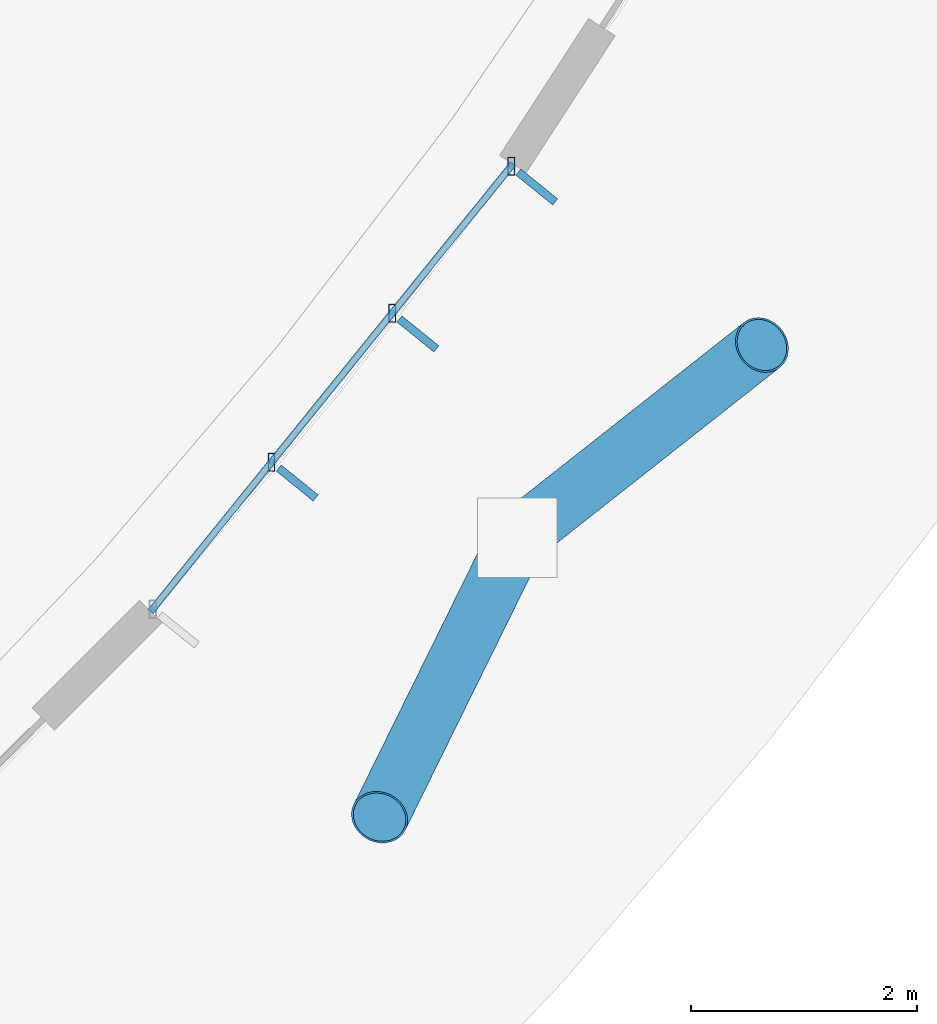
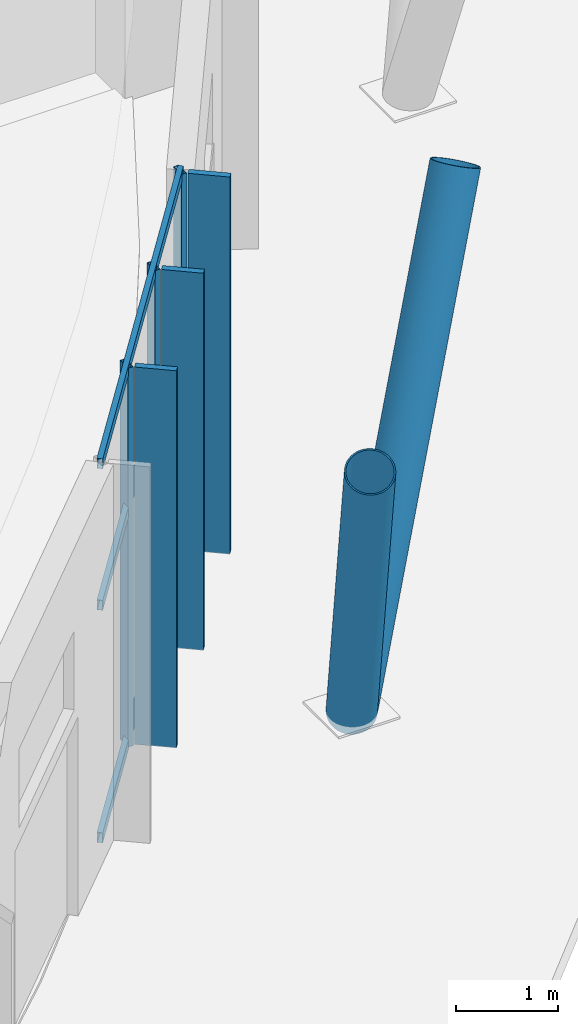
# One storey, part 74 of 151: 11 members, 1 element without a shape of its own.
"""IFC4 building model written with IfcOpenShell, lengths in metres."""

from ifc_helpers import new_model, si_unit, direction, frame, origin, origin_2d, place, context, subcontext, project, spatial, rectangle, hollow_rectangle, hollow_circle, extrude, material, material_profile, profile_set, type_object, element, aggregate, save


model = new_model("IFC4")

# Units and contexts
model_context = context("Model", 3, precision=1e-05, world=origin(), true_north=direction((0.0, 1.0)))
body_context = subcontext(model_context, "Body", "Model", "MODEL_VIEW")
ifc_project = project(units=[si_unit("LENGTHUNIT", "METRE"), si_unit("AREAUNIT", "SQUARE_METRE"), si_unit("VOLUMEUNIT", "CUBIC_METRE"), si_unit("PLANEANGLEUNIT", "RADIAN"), si_unit("MASSUNIT", "GRAM", prefix="KILO")], contexts=[model_context])

# Site, building, storey
site_placement = place(None, origin())
site = spatial("IfcSite", under=ifc_project, at=site_placement, CompositionType="ELEMENT")
building_placement = place(site_placement, origin())
building = spatial("IfcBuilding", under=site, at=building_placement, Name="Chiffa Square Polytechnic", CompositionType="ELEMENT")
storey_placement = place(building_placement, origin())
storey = spatial("IfcBuildingStorey", under=building, at=storey_placement, Name="L00", CompositionType="ELEMENT", Elevation=0.0)

# Members
ifc_material_1 = material(Name="Steel S355", Category="steel")
ifc_material_profile_1 = material_profile(ifc_material_1, hollow_circle(Radius=0.25390625, WallThickness=0.01611328125, at=origin_2d()), Name="CHS 508x16")
ifc_profile_set_1 = profile_set([ifc_material_profile_1], Name="Steel S355")
member_type_1 = type_object("IfcMemberType", Name="COL-VSTRUT-508", PredefinedType="STRUT", material=ifc_profile_set_1)
member_1_placement = place(storey_placement, frame((162.555908203125, 25.47998046875, 0.0), z_axis=(-0.219888539914, -0.446350794203, 0.867421465338), x_axis=(0.897053884732, -0.441921178364, 0.0)))
element("IfcMember", 1, at=member_1_placement, inside=storey, type_object=member_type_1, Name="Prow steel V-strut CV-V1-L00-06L", PredefinedType="STRUT", context=body_context, shape_type="SweptSolid", body=[
    extrude(hollow_circle(Radius=0.25390625, WallThickness=0.01611328125, at=origin_2d()), origin(), (0.0, 0.0, 1.0), 5.53369140625),
])
member_2_placement = place(storey_placement, frame((162.555908203125, 25.47998046875, 0.0), z_axis=(0.390883439665, 0.307942032603, 0.867399470344), x_axis=(-0.618839073152, 0.785517791995, 0.0)))
element("IfcMember", 2, at=member_2_placement, inside=storey, type_object=member_type_1, Name="Prow steel V-strut CV-V1-L00-06R", PredefinedType="STRUT", context=body_context, shape_type="SweptSolid", body=[
    extrude(hollow_circle(Radius=0.25390625, WallThickness=0.01611328125, at=origin_2d()), origin(), (0.0, 0.0, 1.0), 5.533935546875),
])

# Curtain wall, members
ifc_material_2 = material(Name="Aluminium EN AW-6060 T66 and glulam shading", Category="wood")
curtain_wall_type = type_object("IfcCurtainWallType", Name="CW-VERT-480X380", PredefinedType="USERDEFINED", material=ifc_material_2)
curtain_wall_placement = place(storey_placement, origin())
curtain_wall = element("IfcCurtainWall", 3, at=curtain_wall_placement, inside=storey, type_object=curtain_wall_type, Name="Curtain wall CW-V1-L00-006", ObjectType="CURTAIN WALL", PredefinedType="USERDEFINED")
ifc_material_3 = material(Name="Aluminium EN AW-6060 T66", Category="aluminium")
ifc_material_profile_2 = material_profile(ifc_material_3, hollow_rectangle(XDim=0.06005859375, YDim=0.159912109375, WallThickness=0.00390625, at=origin_2d()), Name="ALU 60x160x4")
ifc_profile_set_2 = profile_set([ifc_material_profile_2], Name="Aluminium EN AW-6060 T66")
member_type_2 = type_object("IfcMemberType", Name="CWM-ALU-65X150", PredefinedType="MULLION", material=ifc_profile_set_2)
member_3_placement = place(storey_placement, frame((160.384033203125, 26.14794921875, -0.02001953125), z_axis=(0.0, 0.0, 1.0), x_axis=(1.0, 0.0, 0.0)))
member_3 = element("IfcMember", 4, at=member_3_placement, type_object=member_type_2, Name="Curtain wall mullion CW-V1-L00-006-M01", PredefinedType="MULLION", context=body_context, shape_type="SweptSolid", body=[
    extrude(hollow_rectangle(XDim=0.06005859375, YDim=0.159912109375, WallThickness=0.00390625, at=origin_2d()), origin(), (0.0, 0.0, 1.0), 4.554931640625),
])
member_4_placement = place(storey_placement, frame((161.450927734375, 27.466064453125, -0.02001953125), z_axis=(0.0, 0.0, 1.0), x_axis=(1.0, 0.0, 0.0)))
member_4 = element("IfcMember", 5, at=member_4_placement, type_object=member_type_2, Name="Curtain wall mullion CW-V1-L00-006-M02", PredefinedType="MULLION", context=body_context, shape_type="SweptSolid", body=[
    extrude(hollow_rectangle(XDim=0.06005859375, YDim=0.159912109375, WallThickness=0.00390625, at=origin_2d()), origin(), (0.0, 0.0, 1.0), 4.554931640625),
])
member_5_placement = place(storey_placement, frame((162.501953125, 28.764892578125, -0.02001953125), z_axis=(0.0, 0.0, 1.0), x_axis=(1.0, 0.0, 0.0)))
member_5 = element("IfcMember", 6, at=member_5_placement, type_object=member_type_2, Name="Curtain wall mullion CW-V1-L00-006-M03", PredefinedType="MULLION", context=body_context, shape_type="SweptSolid", body=[
    extrude(hollow_rectangle(XDim=0.06005859375, YDim=0.159912109375, WallThickness=0.00390625, at=origin_2d()), origin(), (0.0, 0.0, 1.0), 4.554931640625),
])
ifc_material_4 = material(Name="Glulam GL28h", Category="wood")
ifc_material_profile_3 = material_profile(ifc_material_4, rectangle(XDim=0.070068359375, YDim=0.419921875, at=origin_2d()), Name="GL28h 70x420")
ifc_profile_set_3 = profile_set([ifc_material_profile_3], Name="Glulam GL28h")
member_type_3 = type_object("IfcMemberType", Name="CWM-GL-70X420", PredefinedType="MULLION", material=ifc_profile_set_3)
member_6_placement = place(storey_placement, frame((160.611083984375, 25.964111328125, -0.010009765625), z_axis=(0.0, 0.0, 1.0), x_axis=(0.629211874869, 0.777233823584, 0.0)))
member_6 = element("IfcMember", 7, at=member_6_placement, type_object=member_type_3, Name="Exterior glulam solar fin CW-V1-L00-006-FN01", PredefinedType="MULLION", context=body_context, shape_type="SweptSolid", body=[
    extrude(rectangle(XDim=0.070068359375, YDim=0.419921875, at=origin_2d()), origin(), (0.0, 0.0, 1.0), 4.534912109375),
])
member_7_placement = place(storey_placement, frame((161.677978515625, 27.281982421875, -0.010009765625), z_axis=(0.0, 0.0, 1.0), x_axis=(0.629211874869, 0.777233823584, 0.0)))
member_7 = element("IfcMember", 8, at=member_7_placement, type_object=member_type_3, Name="Exterior glulam solar fin CW-V1-L00-006-FN02", PredefinedType="MULLION", context=body_context, shape_type="SweptSolid", body=[
    extrude(rectangle(XDim=0.070068359375, YDim=0.419921875, at=origin_2d()), origin(), (0.0, 0.0, 1.0), 4.534912109375),
])
member_8_placement = place(storey_placement, frame((162.72900390625, 28.5810546875, -0.010009765625), z_axis=(0.0, 0.0, 1.0), x_axis=(0.629211874869, 0.777233823584, 0.0)))
member_8 = element("IfcMember", 9, at=member_8_placement, type_object=member_type_3, Name="Exterior glulam solar fin CW-V1-L00-006-FN03", PredefinedType="MULLION", context=body_context, shape_type="SweptSolid", body=[
    extrude(rectangle(XDim=0.070068359375, YDim=0.419921875, at=origin_2d()), origin(), (0.0, 0.0, 1.0), 4.534912109375),
])
ifc_material_profile_4 = material_profile(ifc_material_3, hollow_rectangle(XDim=0.06005859375, YDim=0.1201171875, WallThickness=0.00390625, at=origin_2d()), Name="ALU 60x120x4")
ifc_profile_set_4 = profile_set([ifc_material_profile_4], Name="Aluminium EN AW-6060 T66")
member_type_4 = type_object("IfcMemberType", Name="CWT-ALU-65X120", PredefinedType="USERDEFINED", material=ifc_profile_set_4)
member_9_placement = place(storey_placement, frame((159.31591796875, 24.827880859375, 0.010009765625), z_axis=(0.629082357444, 0.777338656927, 0.0), x_axis=(-0.777338656927, 0.629082357444, 0.0)))
member_9 = element("IfcMember", 10, at=member_9_placement, type_object=member_type_4, Name="Curtain wall transom CW-V1-L00-006-T01", ObjectType="TRANSOM", PredefinedType="USERDEFINED", context=body_context, shape_type="SweptSolid", body=[
    extrude(hollow_rectangle(XDim=0.06005859375, YDim=0.1201171875, WallThickness=0.00390625, at=origin_2d()), origin(), (0.0, 0.0, 1.0), 5.091796875),
])
member_10_placement = place(storey_placement, frame((159.31591796875, 24.827880859375, 2.803955078125), z_axis=(0.629082357444, 0.777338656927, 0.0), x_axis=(-0.777338656927, 0.629082357444, 0.0)))
member_10 = element("IfcMember", 11, at=member_10_placement, type_object=member_type_4, Name="Curtain wall transom CW-V1-L00-006-T02", ObjectType="TRANSOM", PredefinedType="USERDEFINED", context=body_context, shape_type="SweptSolid", body=[
    extrude(hollow_rectangle(XDim=0.06005859375, YDim=0.1201171875, WallThickness=0.00390625, at=origin_2d()), origin(), (0.0, 0.0, 1.0), 5.091796875),
])
member_11_placement = place(storey_placement, frame((159.31591796875, 24.827880859375, 4.5048828125), z_axis=(0.629082357444, 0.777338656927, 0.0), x_axis=(-0.777338656927, 0.629082357444, 0.0)))
member_11 = element("IfcMember", 12, at=member_11_placement, type_object=member_type_4, Name="Curtain wall transom CW-V1-L00-006-T03", ObjectType="TRANSOM", PredefinedType="USERDEFINED", context=body_context, shape_type="SweptSolid", body=[
    extrude(hollow_rectangle(XDim=0.06005859375, YDim=0.1201171875, WallThickness=0.00390625, at=origin_2d()), origin(), (0.0, 0.0, 1.0), 5.091796875),
])
aggregate(curtain_wall, [member_3, member_6, member_4, member_7, member_5, member_8, member_9, member_10, member_11])

save(model, "model.ifc")
